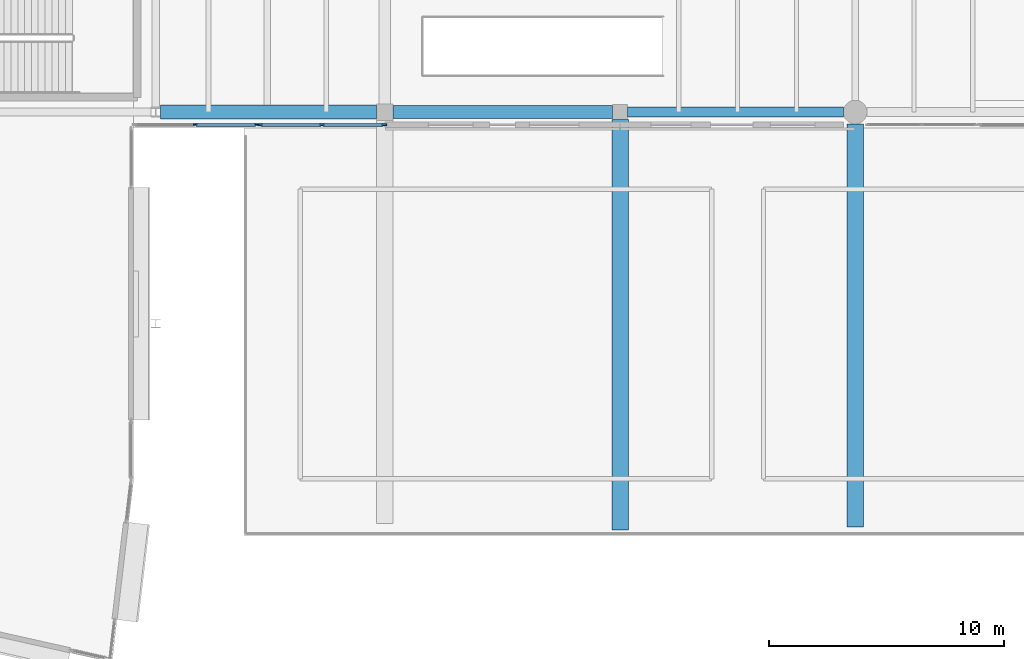
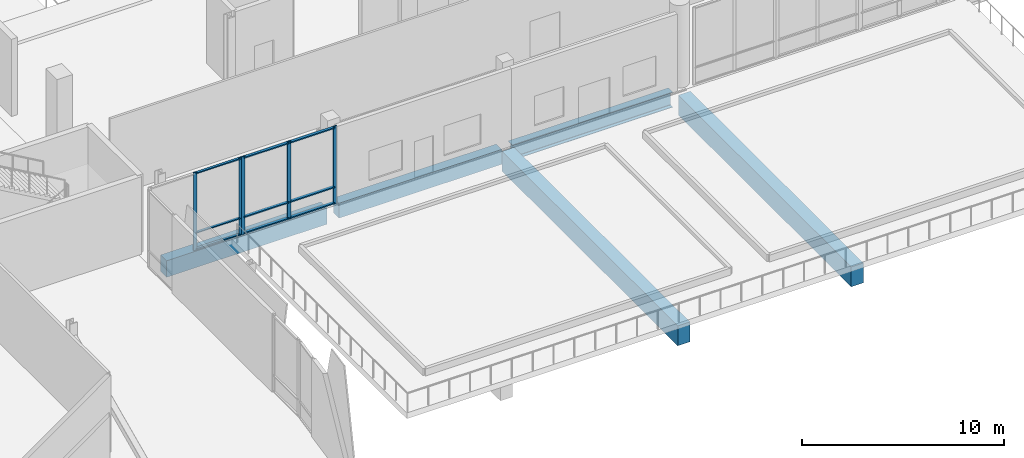
# One storey, part 19 of 60: 14 members, 5 beams, 2 elements without a shape of their own.
"""IFC4 building model written with IfcOpenShell, lengths in metres."""

from ifc_helpers import new_model, si_unit, direction, frame, origin, origin_2d, place, context, subcontext, project, spatial, rectangle, i_section, extrude, material, material_profile, profile_set, type_object, element, aggregate, save


model = new_model("IFC4")

# Units and contexts
model_context = context("Model", 3, precision=1e-05, world=origin(), true_north=direction((0.0, 1.0)))
body_context = subcontext(model_context, "Body", "Model", "MODEL_VIEW")
ifc_project = project(units=[si_unit("LENGTHUNIT", "METRE"), si_unit("AREAUNIT", "SQUARE_METRE"), si_unit("VOLUMEUNIT", "CUBIC_METRE"), si_unit("PLANEANGLEUNIT", "RADIAN"), si_unit("MASSUNIT", "GRAM", prefix="KILO")], contexts=[model_context])

# Site, building, storey
site_placement = place(None, origin())
site = spatial("IfcSite", under=ifc_project, at=site_placement, CompositionType="ELEMENT")
building_placement = place(site_placement, origin())
building = spatial("IfcBuilding", under=site, at=building_placement, Name="Trimount Lyric Opera House", CompositionType="ELEMENT")
storey_placement = place(building_placement, frame((0.0, 0.0, 15.0)))
storey = spatial("IfcBuildingStorey", under=building, at=storey_placement, Name="L03", CompositionType="ELEMENT", Elevation=15.0)

# Beams
ifc_material_1 = material(Name="Steel ASTM A992 Grade 50", Category="steel")
ifc_material_profile_1 = material_profile(ifc_material_1, i_section(OverallWidth=0.4189453125, OverallDepth=0.927001953125, WebThickness=0.019287109375, FlangeThickness=0.031982421875, FilletRadius=0.02392578125, at=origin_2d()), Name="W36X231")
ifc_profile_set_1 = profile_set([ifc_material_profile_1], Name="Steel ASTM A992 Grade 50")
beam_type_1 = type_object("IfcBeamType", Name="B-02", PredefinedType="BEAM", material=ifc_profile_set_1)
beam_1_placement = place(storey_placement, frame((84.324951171875, 44.0, -0.743408203125), z_axis=(1.0, 0.0, 0.0), x_axis=(0.0, 1.0, 0.0)))
element("IfcBeam", 1, at=beam_1_placement, inside=storey, type_object=beam_type_1, Name="L03 girder X-0946", PredefinedType="BEAM", context=body_context, shape_type="SweptSolid", body=[
    extrude(i_section(OverallWidth=0.4189453125, OverallDepth=0.927001953125, WebThickness=0.019287109375, FlangeThickness=0.031982421875, FilletRadius=0.02392578125, at=origin_2d()), origin(), (0.0, 0.0, 1.0), 9.175048828125),
])
ifc_material_2 = material(Name="Concrete C40/50", Category="concrete")
ifc_material_profile_2 = material_profile(ifc_material_2, rectangle(XDim=0.60009765625, YDim=1.0, at=origin_2d()), Name="RC600X1000")
ifc_profile_set_2 = profile_set([ifc_material_profile_2], Name="Concrete C40/50")
beam_type_2 = type_object("IfcBeamType", Name="B-13", PredefinedType="BEAM", material=ifc_profile_set_2)
beam_2_placement = place(storey_placement, frame((64.462890625, 44.0, -0.780029296875), z_axis=(1.0, 0.0, 0.0), x_axis=(0.0, 1.0, 0.0)))
element("IfcBeam", 2, at=beam_2_placement, inside=storey, type_object=beam_type_2, Name="L03 girder X-0944", PredefinedType="BEAM", context=body_context, shape_type="SweptSolid", body=[
    extrude(rectangle(XDim=0.60009765625, YDim=1.0, at=origin_2d()), origin(), (0.0, 0.0, 1.0), 9.18701171875),
])
ifc_material_3 = material(Name="Concrete C40/50", Category="concrete")
ifc_material_profile_3 = material_profile(ifc_material_3, rectangle(XDim=0.550048828125, YDim=0.89990234375, at=origin_2d()), Name="RC550X900")
ifc_profile_set_3 = profile_set([ifc_material_profile_3], Name="Concrete C40/50")
beam_type_3 = type_object("IfcBeamType", Name="B-14", PredefinedType="BEAM", material=ifc_profile_set_3)
beam_3_placement = place(storey_placement, frame((74.35009765625, 44.0, -0.72998046875), z_axis=(1.0, 0.0, 0.0), x_axis=(0.0, 1.0, 0.0)))
element("IfcBeam", 3, at=beam_3_placement, inside=storey, type_object=beam_type_3, Name="L03 girder X-0945", PredefinedType="BEAM", context=body_context, shape_type="SweptSolid", body=[
    extrude(rectangle(XDim=0.550048828125, YDim=0.89990234375, at=origin_2d()), origin(), (0.0, 0.0, 1.0), 9.324951171875),
])

# Curtain wall, members
ifc_material_4 = material(Name="Thermally Broken Aluminium and Low-E Glass", Category="aluminium")
curtain_wall_type = type_object("IfcCurtainWallType", Name="CW-05", PredefinedType="NOTDEFINED", material=ifc_material_4)
curtain_wall_1_placement = place(storey_placement, origin())
curtain_wall_1 = element("IfcCurtainWall", 4, at=curtain_wall_1_placement, inside=storey, type_object=curtain_wall_type, Name="L03 curtain wall 261", PredefinedType="NOTDEFINED")
ifc_material_5 = material(Name="Anodised Aluminium 6063-T6", Category="aluminium")
ifc_material_profile_4 = material_profile(ifc_material_5, rectangle(XDim=0.070068359375, YDim=0.219970703125, at=origin_2d()), Name="ALU-MULL-70X220")
ifc_profile_set_4 = profile_set([ifc_material_profile_4], Name="Anodised Aluminium 6063-T6")
member_type_1 = type_object("IfcMemberType", Name="ML-01", PredefinedType="MULLION", material=ifc_profile_set_4)
member_1_placement = place(storey_placement, frame((73.965087890625, 43.4599609375, 0.0), z_axis=(0.0, 0.0, 1.0), x_axis=(0.0, -1.0, 0.0)))
member_1 = element("IfcMember", 5, at=member_1_placement, type_object=member_type_1, Name="CW-05 mullion 1", PredefinedType="MULLION", context=body_context, shape_type="SweptSolid", body=[
    extrude(rectangle(XDim=0.070068359375, YDim=0.219970703125, at=origin_2d()), origin(), (0.0, 0.0, 1.0), 4.719970703125),
])
member_2_placement = place(storey_placement, frame((71.330078125, 43.4599609375, 0.0), z_axis=(0.0, 0.0, 1.0), x_axis=(0.0, -1.0, 0.0)))
member_2 = element("IfcMember", 6, at=member_2_placement, type_object=member_type_1, Name="CW-05 mullion 2", PredefinedType="MULLION", context=body_context, shape_type="SweptSolid", body=[
    extrude(rectangle(XDim=0.070068359375, YDim=0.219970703125, at=origin_2d()), origin(), (0.0, 0.0, 1.0), 4.719970703125),
])
member_3_placement = place(storey_placement, frame((68.695068359375, 43.4599609375, 0.0), z_axis=(0.0, 0.0, 1.0), x_axis=(0.0, -1.0, 0.0)))
member_3 = element("IfcMember", 7, at=member_3_placement, type_object=member_type_1, Name="CW-05 mullion 3", PredefinedType="MULLION", context=body_context, shape_type="SweptSolid", body=[
    extrude(rectangle(XDim=0.070068359375, YDim=0.219970703125, at=origin_2d()), origin(), (0.0, 0.0, 1.0), 4.719970703125),
])

curtain_wall_2_placement = place(storey_placement, origin())
curtain_wall_2 = element("IfcCurtainWall", 8, at=curtain_wall_2_placement, inside=storey, type_object=curtain_wall_type, Name="L03 curtain wall 262", PredefinedType="NOTDEFINED")
ifc_material_6 = material(Name="Anodised Aluminium 6063-T6", Category="aluminium")
ifc_material_profile_5 = material_profile(ifc_material_6, rectangle(XDim=0.06494140625, YDim=0.179931640625, at=origin_2d()), Name="ALU-MULL-65X180")
ifc_profile_set_5 = profile_set([ifc_material_profile_5], Name="Anodised Aluminium 6063-T6")
member_type_2 = type_object("IfcMemberType", Name="ML-02", PredefinedType="MULLION", material=ifc_profile_set_5)
member_4_placement = place(storey_placement, frame((68.53759765625, 43.4599609375, 0.0), z_axis=(0.0, 0.0, 1.0), x_axis=(0.0, -1.0, 0.0)))
member_4 = element("IfcMember", 9, at=member_4_placement, type_object=member_type_2, Name="CW-05 mullion 1", PredefinedType="MULLION", context=body_context, shape_type="SweptSolid", body=[
    extrude(rectangle(XDim=0.06494140625, YDim=0.179931640625, at=origin_2d()), origin(), (0.0, 0.0, 1.0), 4.719970703125),
])
member_5_placement = place(storey_placement, frame((65.945068359375, 43.4599609375, 0.0), z_axis=(0.0, 0.0, 1.0), x_axis=(0.0, -1.0, 0.0)))
member_5 = element("IfcMember", 10, at=member_5_placement, type_object=member_type_2, Name="CW-05 mullion 2", PredefinedType="MULLION", context=body_context, shape_type="SweptSolid", body=[
    extrude(rectangle(XDim=0.06494140625, YDim=0.179931640625, at=origin_2d()), origin(), (0.0, 0.0, 1.0), 4.719970703125),
])

# Beams
ifc_material_7 = material(Name="Concrete C40/50", Category="concrete")
ifc_material_profile_6 = material_profile(ifc_material_7, rectangle(XDim=0.699951171875, YDim=1.199951171875, at=origin_2d()), Name="RC700X1200")
ifc_profile_set_6 = profile_set([ifc_material_profile_6], Name="Concrete C40/50")
beam_type_4 = type_object("IfcBeamType", Name="TG-05", PredefinedType="USERDEFINED", material=ifc_profile_set_6)
beam_4_placement = place(storey_placement, frame((84.0, 26.232421875, -0.949951171875), z_axis=(0.0, 1.0, 0.0), x_axis=(-1.0, 0.0, 0.0)))
element("IfcBeam", 11, at=beam_4_placement, inside=storey, type_object=beam_type_4, Name="L03 girder Y-1084", ObjectType="TRANSFER_GIRDER", PredefinedType="USERDEFINED", context=body_context, shape_type="SweptSolid", body=[
    extrude(rectangle(XDim=0.699951171875, YDim=1.199951171875, at=origin_2d()), origin(), (0.0, 0.0, 1.0), 17.442626953125),
])
beam_5_placement = place(storey_placement, frame((94.0, 26.35009765625, -0.949951171875), z_axis=(0.0, 1.0, 0.0), x_axis=(-1.0, 0.0, 0.0)))
element("IfcBeam", 12, at=beam_5_placement, inside=storey, type_object=beam_type_4, Name="L03 girder Y-1085", ObjectType="TRANSFER_GIRDER", PredefinedType="USERDEFINED", context=body_context, shape_type="SweptSolid", body=[
    extrude(rectangle(XDim=0.699951171875, YDim=1.199951171875, at=origin_2d()), origin(), (0.0, 0.0, 1.0), 17.14990234375),
])

# Member
ifc_material_8 = material(Name="Anodised Aluminium 6063-T6", Category="aluminium")
ifc_material_profile_7 = material_profile(ifc_material_8, rectangle(XDim=0.159912109375, YDim=0.070068359375, at=origin_2d()), Name="ALU-TRAN-70X160")
ifc_profile_set_7 = profile_set([ifc_material_profile_7], Name="Anodised Aluminium 6063-T6")
member_type_3 = type_object("IfcMemberType", Name="TR-01", PredefinedType="USERDEFINED", material=ifc_profile_set_7)
member_6_placement = place(storey_placement, frame((73.929931640625, 43.4599609375, 0.080078125), z_axis=(-1.0, 0.0, 0.0), x_axis=(0.0, -1.0, 0.0)))
member_6 = element("IfcMember", 13, at=member_6_placement, type_object=member_type_3, Name="CW-05 transom 1.1", ObjectType="TRANSOM", PredefinedType="USERDEFINED", context=body_context, shape_type="SweptSolid", body=[
    extrude(rectangle(XDim=0.159912109375, YDim=0.070068359375, at=origin_2d()), origin(), (0.0, 0.0, 1.0), 2.56494140625),
])

member_7_placement = place(storey_placement, frame((73.929931640625, 43.4599609375, 1.050048828125), z_axis=(-1.0, 0.0, 0.0), x_axis=(0.0, -1.0, 0.0)))
member_7 = element("IfcMember", 14, at=member_7_placement, type_object=member_type_3, Name="CW-05 transom 1.2", ObjectType="TRANSOM", PredefinedType="USERDEFINED", context=body_context, shape_type="SweptSolid", body=[
    extrude(rectangle(XDim=0.159912109375, YDim=0.070068359375, at=origin_2d()), origin(), (0.0, 0.0, 1.0), 2.56494140625),
])

member_8_placement = place(storey_placement, frame((73.929931640625, 43.4599609375, 4.639892578125), z_axis=(-1.0, 0.0, 0.0), x_axis=(0.0, -1.0, 0.0)))
member_8 = element("IfcMember", 15, at=member_8_placement, type_object=member_type_3, Name="CW-05 transom 1.3", ObjectType="TRANSOM", PredefinedType="USERDEFINED", context=body_context, shape_type="SweptSolid", body=[
    extrude(rectangle(XDim=0.159912109375, YDim=0.070068359375, at=origin_2d()), origin(), (0.0, 0.0, 1.0), 2.56494140625),
])

member_9_placement = place(storey_placement, frame((71.294921875, 43.4599609375, 0.080078125), z_axis=(-1.0, 0.0, 0.0), x_axis=(0.0, -1.0, 0.0)))
member_9 = element("IfcMember", 16, at=member_9_placement, type_object=member_type_3, Name="CW-05 transom 2.1", ObjectType="TRANSOM", PredefinedType="USERDEFINED", context=body_context, shape_type="SweptSolid", body=[
    extrude(rectangle(XDim=0.159912109375, YDim=0.070068359375, at=origin_2d()), origin(), (0.0, 0.0, 1.0), 2.56494140625),
])

member_10_placement = place(storey_placement, frame((71.294921875, 43.4599609375, 1.050048828125), z_axis=(-1.0, 0.0, 0.0), x_axis=(0.0, -1.0, 0.0)))
member_10 = element("IfcMember", 17, at=member_10_placement, type_object=member_type_3, Name="CW-05 transom 2.2", ObjectType="TRANSOM", PredefinedType="USERDEFINED", context=body_context, shape_type="SweptSolid", body=[
    extrude(rectangle(XDim=0.159912109375, YDim=0.070068359375, at=origin_2d()), origin(), (0.0, 0.0, 1.0), 2.56494140625),
])

member_11_placement = place(storey_placement, frame((71.294921875, 43.4599609375, 4.639892578125), z_axis=(-1.0, 0.0, 0.0), x_axis=(0.0, -1.0, 0.0)))
member_11 = element("IfcMember", 18, at=member_11_placement, type_object=member_type_3, Name="CW-05 transom 2.3", ObjectType="TRANSOM", PredefinedType="USERDEFINED", context=body_context, shape_type="SweptSolid", body=[
    extrude(rectangle(XDim=0.159912109375, YDim=0.070068359375, at=origin_2d()), origin(), (0.0, 0.0, 1.0), 2.56494140625),
])

aggregate(curtain_wall_1, [member_1, member_2, member_3, member_6, member_7, member_8, member_9, member_10, member_11])

ifc_material_9 = material(Name="Anodised Aluminium 6063-T6", Category="aluminium")
ifc_material_profile_8 = material_profile(ifc_material_9, rectangle(XDim=0.135009765625, YDim=0.06494140625, at=origin_2d()), Name="ALU-TRAN-65X135")
ifc_profile_set_8 = profile_set([ifc_material_profile_8], Name="Anodised Aluminium 6063-T6")
member_type_4 = type_object("IfcMemberType", Name="TR-02", PredefinedType="USERDEFINED", material=ifc_profile_set_8)
member_12_placement = place(storey_placement, frame((68.5048828125, 43.4599609375, 0.0673828125), z_axis=(-1.0, 0.0, 0.0), x_axis=(0.0, -1.0, 0.0)))
member_12 = element("IfcMember", 19, at=member_12_placement, type_object=member_type_4, Name="CW-05 transom 1.1", ObjectType="TRANSOM", PredefinedType="USERDEFINED", context=body_context, shape_type="SweptSolid", body=[
    extrude(rectangle(XDim=0.135009765625, YDim=0.06494140625, at=origin_2d()), origin(), (0.0, 0.0, 1.0), 2.52734375),
])

member_13_placement = place(storey_placement, frame((68.5048828125, 43.4599609375, 1.050048828125), z_axis=(-1.0, 0.0, 0.0), x_axis=(0.0, -1.0, 0.0)))
member_13 = element("IfcMember", 20, at=member_13_placement, type_object=member_type_4, Name="CW-05 transom 1.2", ObjectType="TRANSOM", PredefinedType="USERDEFINED", context=body_context, shape_type="SweptSolid", body=[
    extrude(rectangle(XDim=0.135009765625, YDim=0.06494140625, at=origin_2d()), origin(), (0.0, 0.0, 1.0), 2.52734375),
])

member_14_placement = place(storey_placement, frame((68.5048828125, 43.4599609375, 4.652587890625), z_axis=(-1.0, 0.0, 0.0), x_axis=(0.0, -1.0, 0.0)))
member_14 = element("IfcMember", 21, at=member_14_placement, type_object=member_type_4, Name="CW-05 transom 1.3", ObjectType="TRANSOM", PredefinedType="USERDEFINED", context=body_context, shape_type="SweptSolid", body=[
    extrude(rectangle(XDim=0.135009765625, YDim=0.06494140625, at=origin_2d()), origin(), (0.0, 0.0, 1.0), 2.52734375),
])

aggregate(curtain_wall_2, [member_4, member_5, member_12, member_13, member_14])

save(model, "model.ifc")
